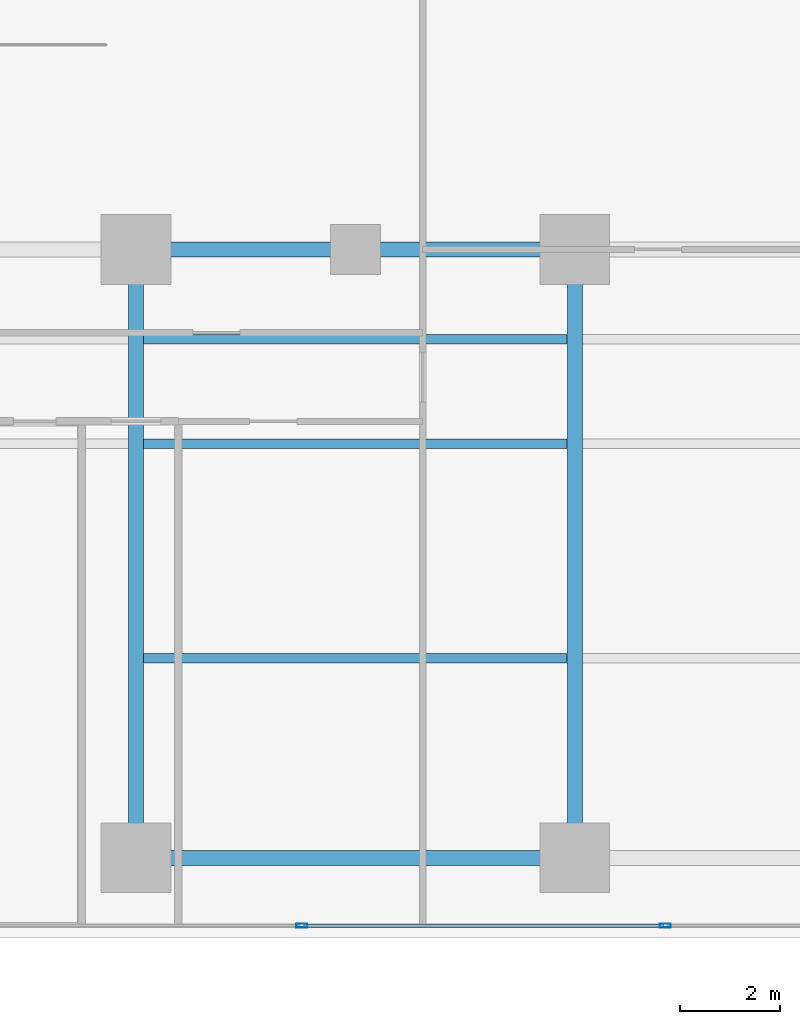
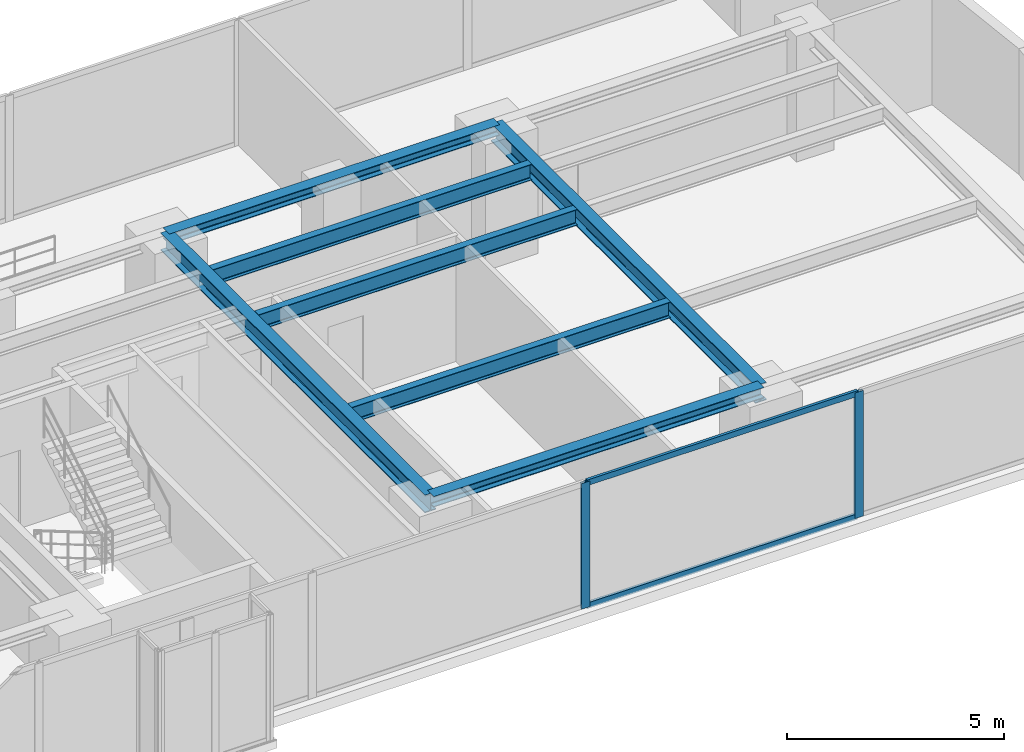
# One storey, part 11 of 26: 7 beams, 4 members, 1 element without a shape of its own.
"""IFC4 building model written with IfcOpenShell, lengths in metres."""

from ifc_helpers import new_model, si_unit, direction, frame, origin, origin_with_axes, origin_2d, place, context, subcontext, project, spatial, hollow_rectangle, i_section, extrude, source, transform, mapped, material, layer, layer_set, material_profile, profile_set, type_object, element, aggregate, save


model = new_model("IFC4")

# Units and contexts
model_context = context("Model", 3, precision=1e-05, world=origin(), true_north=direction((0.0, 1.0)))
body_context = subcontext(model_context, "Body", "Model", "MODEL_VIEW")
ifc_project = project(units=[si_unit("LENGTHUNIT", "METRE"), si_unit("AREAUNIT", "SQUARE_METRE"), si_unit("VOLUMEUNIT", "CUBIC_METRE"), si_unit("PLANEANGLEUNIT", "RADIAN"), si_unit("MASSUNIT", "GRAM", prefix="KILO")], contexts=[model_context])

# Site, building, storey
site_placement = place(None, origin())
site = spatial("IfcSite", under=ifc_project, at=site_placement, CompositionType="ELEMENT")
building_placement = place(site_placement, origin())
building = spatial("IfcBuilding", under=site, at=building_placement, Name="Kolvaren Waterfront Exchange", CompositionType="ELEMENT")
storey_placement = place(building_placement, frame((0.0, 0.0, 110.699951171875)))
storey = spatial("IfcBuildingStorey", under=building, at=storey_placement, Name="L28", CompositionType="ELEMENT", Elevation=110.699951171875)

# Beams
ifc_material_1 = material(Name="Steel S355", Category="steel")
ifc_material_profile_1 = material_profile(ifc_material_1, i_section(OverallWidth=0.300048828125, OverallDepth=0.300048828125, WebThickness=0.010986328125, FlangeThickness=0.01904296875, FilletRadius=0.027099609375, at=origin_2d()), Name="HEB300")
ifc_profile_set_1 = profile_set([ifc_material_profile_1], Name="Steel S355")
beam_type_1 = type_object("IfcBeamType", Name="STR-BM-HEB300", PredefinedType="SPANDREL", material=ifc_profile_set_1)
for number, where, z_axis, x_axis, name in (
    (1, (36.800048828125, 5.199951171875, 3.39013671875), (1.0, 0.0, 0.0), (0.0, 1.0, 0.0), "L28 east-arm spandrel S3"),
    (2, (36.800048828125, 17.39990234375, 3.39013671875), (1.0, 0.0, 0.0), (0.0, 1.0, 0.0), "L28 east-arm spandrel N3"),
):
    element("IfcBeam", number, at=place(storey_placement, frame(where, z_axis=z_axis, x_axis=x_axis)), inside=storey, type_object=beam_type_1, Name=name, PredefinedType="SPANDREL", context=body_context, shape_type="SweptSolid", body=[
        extrude(i_section(OverallWidth=0.300048828125, OverallDepth=0.300048828125, WebThickness=0.010986328125, FlangeThickness=0.01904296875, FilletRadius=0.027099609375, at=origin_2d()), origin(), (0.0, 0.0, 1.0), 8.800048828125),
    ])
ifc_material_profile_2 = material_profile(ifc_material_1, i_section(OverallWidth=0.300048828125, OverallDepth=0.5, WebThickness=0.014404296875, FlangeThickness=0.028076171875, FilletRadius=0.027099609375, at=origin_2d()), Name="HEB500")
ifc_profile_set_2 = profile_set([ifc_material_profile_2], Name="Steel S355")
beam_type_2 = type_object("IfcBeamType", Name="STR-BM-HEB500", PredefinedType="BEAM", material=ifc_profile_set_2)
for number, where, z_axis, x_axis, name in (
    (3, (36.800048828125, 5.199951171875, 3.2900390625), (0.0, 1.0, 0.0), (-1.0, 0.0, 0.0), "L28 east-arm transverse girder X36"),
    (4, (45.60009765625, 5.199951171875, 3.2900390625), (0.0, 1.0, 0.0), (-1.0, 0.0, 0.0), "L28 east-arm transverse girder X45"),
):
    element("IfcBeam", number, at=place(storey_placement, frame(where, z_axis=z_axis, x_axis=x_axis)), inside=storey, type_object=beam_type_2, Name=name, PredefinedType="BEAM", context=body_context, shape_type="SweptSolid", body=[
        extrude(i_section(OverallWidth=0.300048828125, OverallDepth=0.5, WebThickness=0.014404296875, FlangeThickness=0.028076171875, FilletRadius=0.027099609375, at=origin_2d()), origin(), (0.0, 0.0, 1.0), 12.199951171875),
    ])
ifc_material_profile_3 = material_profile(ifc_material_1, i_section(OverallWidth=0.18994140625, OverallDepth=0.449951171875, WebThickness=0.009521484375, FlangeThickness=0.0146484375, FilletRadius=0.02099609375, at=origin_2d()), Name="IPE450")
ifc_profile_set_3 = profile_set([ifc_material_profile_3], Name="Steel S355")
beam_type_3 = type_object("IfcBeamType", Name="STR-BM-IPE450", PredefinedType="JOIST", material=ifc_profile_set_3)
for number, where, z_axis, x_axis, name in (
    (5, (36.951904296875, 13.5, 3.31494140625), (1.0, 0.0, 0.0), (0.0, 1.0, 0.0), "L28 east-arm composite joist 3A"),
    (6, (36.951904296875, 15.60009765625, 3.31494140625), (1.0, 0.0, 0.0), (0.0, 1.0, 0.0), "L28 east-arm composite joist 3C"),
    (7, (36.951904296875, 9.199951171875, 3.31494140625), (1.0, 0.0, 0.0), (0.0, 1.0, 0.0), "L28 east-arm composite joist 3B"),
):
    element("IfcBeam", number, at=place(storey_placement, frame(where, z_axis=z_axis, x_axis=x_axis)), inside=storey, type_object=beam_type_3, Name=name, PredefinedType="JOIST", context=body_context, shape_type="SweptSolid", body=[
        extrude(i_section(OverallWidth=0.18994140625, OverallDepth=0.449951171875, WebThickness=0.009521484375, FlangeThickness=0.0146484375, FilletRadius=0.02099609375, at=origin_2d()), origin(), (0.0, 0.0, 1.0), 8.49609375),
    ])

# Curtain wall, members
ifc_material_2 = material(Name="Anodised bronze aluminium 6063-T6", Category="aluminium")
ifc_layer = layer(ifc_material_2, 0.219970703125, Name="Anodised bronze aluminium 6063-T6")
ifc_layer_set = layer_set([ifc_layer], Name="Anodised bronze aluminium 6063-T6")
curtain_wall_type = type_object("IfcCurtainWallType", Name="ARC-CW-SYS4", PredefinedType="USERDEFINED", material=ifc_layer_set)
curtain_wall_placement = place(storey_placement, origin())
curtain_wall = element("IfcCurtainWall", 8, at=curtain_wall_placement, inside=storey, type_object=curtain_wall_type, Name="L28 stick curtain wall CW4 (CW-L28-S)", ObjectType="STICK CURTAIN WALL", PredefinedType="USERDEFINED")
ifc_material_3 = material(Name="Anodised aluminium 6063-T6", Category="aluminium")
ifc_material_profile_4 = material_profile(ifc_material_3, hollow_rectangle(XDim=0.080078125, YDim=0.219970703125, WallThickness=0.0048828125, at=origin_2d()), Name="ALU-MUL-220x80x5")
ifc_profile_set_4 = profile_set([ifc_material_profile_4], Name="Anodised aluminium 6063-T6")
member_type_1 = type_object("IfcMemberType", Name="ARC-CWM-220", PredefinedType="MULLION", material=ifc_profile_set_4)
shared_shape_1 = source(origin_with_axes(), body_context, "Body", "SweptSolid", [
    extrude(hollow_rectangle(XDim=0.080078125, YDim=0.219970703125, WallThickness=0.0048828125, at=origin_2d()), origin(), (0.0, 0.0, 1.0), 3.5400390625),
])
member_1_placement = place(storey_placement, frame((40.128662109375, 3.840087890625, 0.0), z_axis=(0.0, 0.0, 1.0), x_axis=(0.0, 1.0, 0.0)))
member_1 = element("IfcMember", 9, at=member_1_placement, type_object=member_type_1, Name="CW4 mullion 6", PredefinedType="MULLION", context=body_context, shape_type="MappedRepresentation", body=[
    mapped(shared_shape_1, transform((0.0, 0.0, 0.0), x_axis=(1.0, 0.0, 0.0), y_axis=(0.0, 1.0, 0.0), z_axis=(0.0, 0.0, 1.0), scale=1.0)),
])
member_2_placement = place(storey_placement, frame((47.414306640625, 3.840087890625, 0.0), z_axis=(0.0, 0.0, 1.0), x_axis=(0.0, 1.0, 0.0)))
member_2 = element("IfcMember", 10, at=member_2_placement, type_object=member_type_1, Name="CW4 mullion 7", PredefinedType="MULLION", context=body_context, shape_type="MappedRepresentation", body=[
    mapped(shared_shape_1, transform((0.0, 0.0, 0.0), x_axis=(1.0, 0.0, 0.0), y_axis=(0.0, 1.0, 0.0), z_axis=(0.0, 0.0, 1.0), scale=1.0)),
])
ifc_material_profile_5 = material_profile(ifc_material_3, hollow_rectangle(XDim=0.074951171875, YDim=0.159912109375, WallThickness=0.00439453125, at=origin_2d()), Name="ALU-TRN-160x75x4.5")
ifc_profile_set_5 = profile_set([ifc_material_profile_5], Name="Anodised aluminium 6063-T6")
member_type_2 = type_object("IfcMemberType", Name="ARC-CWT-160", PredefinedType="USERDEFINED", material=ifc_profile_set_5)
shared_shape_2 = source(origin_with_axes(), body_context, "Body", "SweptSolid", [
    extrude(hollow_rectangle(XDim=0.074951171875, YDim=0.159912109375, WallThickness=0.00439453125, at=origin_2d()), origin(), (0.0, 0.0, 1.0), 7.205810546875),
])
member_3_placement = place(storey_placement, frame((40.16845703125, 3.840087890625, 0.03759765625), z_axis=(1.0, 0.0, 0.0), x_axis=(0.0, 1.0, 0.0)))
member_3 = element("IfcMember", 11, at=member_3_placement, type_object=member_type_2, Name="CW4 transom 6.1", ObjectType="TRANSOM", PredefinedType="USERDEFINED", context=body_context, shape_type="MappedRepresentation", body=[
    mapped(shared_shape_2, transform((0.0, 0.0, 0.0), x_axis=(1.0, 0.0, 0.0), y_axis=(0.0, 1.0, 0.0), z_axis=(0.0, 0.0, 1.0), scale=1.0)),
])
member_4_placement = place(storey_placement, frame((40.16845703125, 3.840087890625, 3.50244140625), z_axis=(1.0, 0.0, 0.0), x_axis=(0.0, 1.0, 0.0)))
member_4 = element("IfcMember", 12, at=member_4_placement, type_object=member_type_2, Name="CW4 transom 6.2", ObjectType="TRANSOM", PredefinedType="USERDEFINED", context=body_context, shape_type="MappedRepresentation", body=[
    mapped(shared_shape_2, transform((0.0, 0.0, 0.0), x_axis=(1.0, 0.0, 0.0), y_axis=(0.0, 1.0, 0.0), z_axis=(0.0, 0.0, 1.0), scale=1.0)),
])
aggregate(curtain_wall, [member_1, member_2, member_3, member_4])

save(model, "model.ifc")
